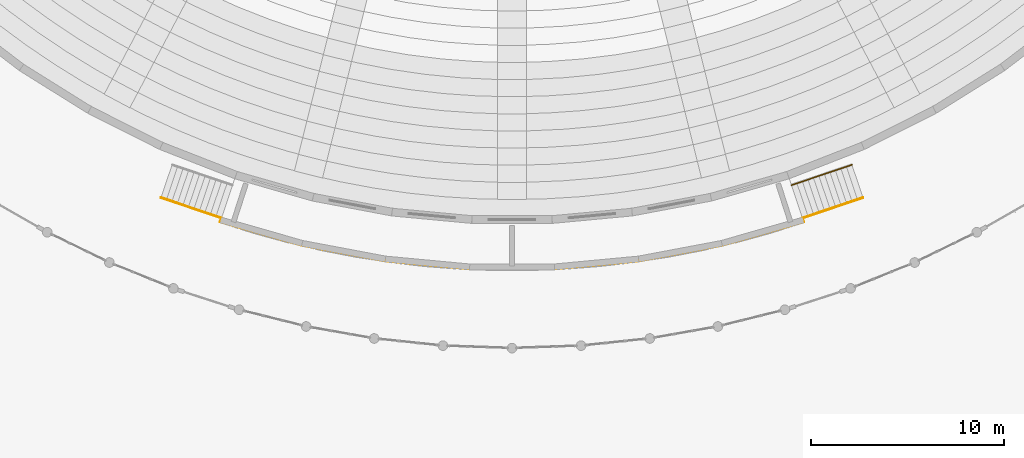
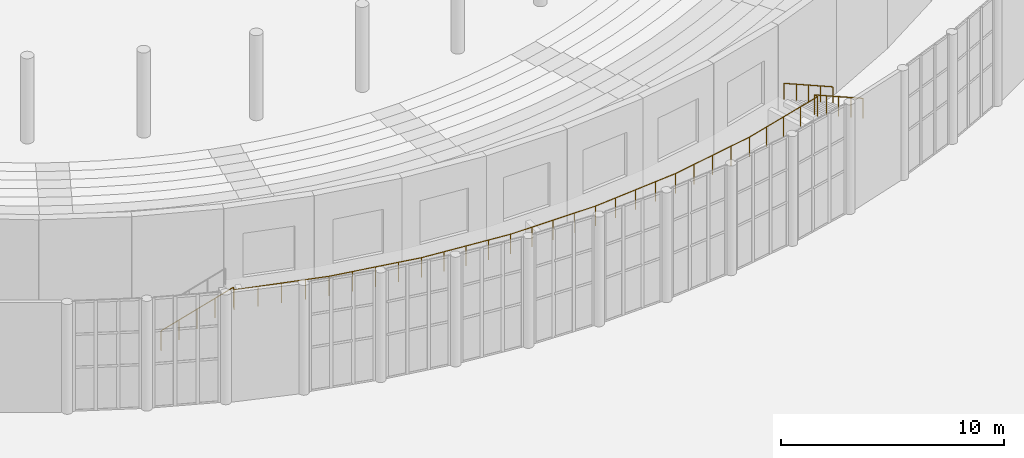
# One storey, part 182 of 210: 2 railings.
"""IFC4 building model written with IfcOpenShell, lengths in metres."""

from ifc_helpers import new_model, si_unit, direction, frame, origin, origin_2d, place, context, subcontext, project, spatial, circle, extrude, material, type_object, element, save


model = new_model("IFC4")

# Units and contexts
model_context = context("Model", 3, precision=1e-05, world=origin(), true_north=direction((0.0, 1.0)))
body_context = subcontext(model_context, "Body", "Model", "MODEL_VIEW")
ifc_project = project(units=[si_unit("LENGTHUNIT", "METRE"), si_unit("AREAUNIT", "SQUARE_METRE"), si_unit("VOLUMEUNIT", "CUBIC_METRE"), si_unit("PLANEANGLEUNIT", "RADIAN"), si_unit("MASSUNIT", "GRAM", prefix="KILO")], contexts=[model_context])

# Site, building, storey
site_placement = place(None, origin())
site = spatial("IfcSite", under=ifc_project, at=site_placement, CompositionType="ELEMENT")
building_placement = place(site_placement, origin())
building = spatial("IfcBuilding", under=site, at=building_placement, Name="Rain Tree Exposition and Congress Centre", CompositionType="ELEMENT")
storey_placement = place(building_placement, origin())
storey = spatial("IfcBuildingStorey", under=building, at=storey_placement, Name="L00", CompositionType="ELEMENT", Elevation=0.0)

# Railings
ifc_material_1 = material(Name="Steel S355J2H", Category="steel")
railing_type_1 = type_object("IfcRailingType", Name="Handrail 900 steel", PredefinedType="HANDRAIL", material=ifc_material_1)
railing_1_placement = place(storey_placement, frame((219.17724609375, 25.481201171875, 0.175048828125)))
element("IfcRailing", 1, at=railing_1_placement, inside=storey, type_object=railing_type_1, Name="Exit stair STX2 handrail", PredefinedType="HANDRAIL", context=body_context, shape_type="SweptSolid", body=[
    extrude(circle(Radius=0.02392578125, at=origin_2d()), frame((0.0, 0.0, 0.8759765625), z_axis=(-0.818343865073, -0.276445069522, 0.503876415438), x_axis=(0.320042635324, -0.947403140999, 0.0)), (0.0, 0.0, 1.0), 3.820556640625),
    extrude(circle(Radius=0.02099609375, at=origin_2d()), origin(), (0.0, 0.0, 1.0), 0.851806640625),
    extrude(circle(Radius=0.02099609375, at=origin_2d()), frame((-0.78173828125, -0.26416015625, 0.481201171875)), (0.0, 0.0, 1.0), 0.851806640625),
    extrude(circle(Radius=0.02099609375, at=origin_2d()), frame((-1.563232421875, -0.528076171875, 0.96240234375)), (0.0, 0.0, 1.0), 0.851806640625),
    extrude(circle(Radius=0.02099609375, at=origin_2d()), frame((-2.3447265625, -0.7919921875, 1.44384765625)), (0.0, 0.0, 1.0), 0.851806640625),
    extrude(circle(Radius=0.02099609375, at=origin_2d()), frame((-3.12646484375, -1.05615234375, 1.925048828125)), (0.0, 0.0, 1.0), 0.851806640625),
])
ifc_material_2 = material(Name="Steel S355J2H", Category="steel")
railing_type_2 = type_object("IfcRailingType", Name="Steel guard 1100", PredefinedType="GUARDRAIL", material=ifc_material_2)
railing_2_placement = place(storey_placement, frame((183.44677734375, 23.77587890625, 0.175048828125)))
element("IfcRailing", 2, at=railing_2_placement, inside=storey, type_object=railing_type_2, Name="Rear exit landing and stair guard", PredefinedType="GUARDRAIL", context=body_context, shape_type="SweptSolid", body=[
    extrude(circle(Radius=0.02392578125, at=origin_2d()), frame((0.0, 0.0, 1.076171875), z_axis=(0.818322755352, -0.27645952672, 0.503902766572), x_axis=(0.320065068599, 0.947395562509, 0.0)), (0.0, 0.0, 1.0), 3.8203125),
    extrude(circle(Radius=0.02392578125, at=origin_2d()), frame((3.126220703125, -1.05615234375, 3.0009765625), z_axis=(-0.319888251559, -0.947455279427, 0.0), x_axis=(0.947455279427, -0.319888251559, 0.0)), (0.0, 0.0, 1.0), 0.199951171875),
    extrude(circle(Radius=0.02392578125, at=origin_2d()), frame((3.062255859375, -1.24560546875, 3.0009765625), z_axis=(0.961250486453, -0.27567644494, 0.0), x_axis=(0.27567644494, 0.961250486453, 0.0)), (0.0, 0.0, 1.0), 4.38720703125),
    extrude(circle(Radius=0.02392578125, at=origin_2d()), frame((7.279541015625, -2.455078125, 3.0009765625), z_axis=(0.982725101574, -0.185071269341, 0.0), x_axis=(0.185071269341, 0.982725101574, 0.0)), (0.0, 0.0, 1.0), 4.387451171875),
    extrude(circle(Radius=0.02392578125, at=origin_2d()), frame((11.59130859375, -3.26708984375, 3.0009765625), z_axis=(0.995672283797, -0.092933865076, 0.0), x_axis=(0.092933865076, 0.995672283797, 0.0)), (0.0, 0.0, 1.0), 4.38720703125),
    extrude(circle(Radius=0.02392578125, at=origin_2d()), frame((15.95947265625, -3.6748046875, 3.0009765625), z_axis=(1.0, 0.0, 0.0), x_axis=(0.0, 1.0, 0.0)), (0.0, 0.0, 1.0), 4.387451171875),
    extrude(circle(Radius=0.02392578125, at=origin_2d()), frame((20.346923828125, -3.6748046875, 3.0009765625), z_axis=(0.995672764381, 0.092928716063, 0.0), x_axis=(-0.092928716063, 0.995672764381, 0.0)), (0.0, 0.0, 1.0), 4.387451171875),
    extrude(circle(Radius=0.02392578125, at=origin_2d()), frame((24.71533203125, -3.26708984375, 3.0009765625), z_axis=(0.982723195542, 0.185081390055, 0.0), x_axis=(-0.185081390055, 0.982723195542, 0.0)), (0.0, 0.0, 1.0), 4.38720703125),
    extrude(circle(Radius=0.02392578125, at=origin_2d()), frame((29.02685546875, -2.455078125, 3.0009765625), z_axis=(0.961250486453, 0.27567644494, 0.0), x_axis=(-0.27567644494, 0.961250486453, 0.0)), (0.0, 0.0, 1.0), 4.38720703125),
    extrude(circle(Radius=0.02392578125, at=origin_2d()), frame((33.244140625, -1.24560546875, 3.0009765625), z_axis=(-0.319888251559, 0.947455279427, 0.0), x_axis=(-0.947455279427, -0.319888251559, 0.0)), (0.0, 0.0, 1.0), 0.199951171875),
    extrude(circle(Radius=0.02392578125, at=origin_2d()), frame((33.18017578125, -1.05615234375, 3.0009765625), z_axis=(0.818343865073, 0.276445069522, -0.503876415438), x_axis=(-0.320042635324, 0.947403140999, 0.0)), (0.0, 0.0, 1.0), 3.820556640625),
    extrude(circle(Radius=0.02099609375, at=origin_2d()), origin(), (0.0, 0.0, 1.0), 1.052001953125),
    extrude(circle(Radius=0.02099609375, at=origin_2d()), frame((0.781494140625, -0.26416015625, 0.481201171875)), (0.0, 0.0, 1.0), 1.052001953125),
    extrude(circle(Radius=0.02099609375, at=origin_2d()), frame((1.56298828125, -0.528076171875, 0.96240234375)), (0.0, 0.0, 1.0), 1.052001953125),
    extrude(circle(Radius=0.02099609375, at=origin_2d()), frame((2.3447265625, -0.7919921875, 1.44384765625)), (0.0, 0.0, 1.0), 1.052001953125),
    extrude(circle(Radius=0.02099609375, at=origin_2d()), frame((3.126220703125, -1.05615234375, 1.925048828125)), (0.0, 0.0, 1.0), 1.052001953125),
    extrude(circle(Radius=0.02099609375, at=origin_2d()), frame((3.062255859375, -1.24560546875, 1.925048828125)), (0.0, 0.0, 1.0), 1.052001953125),
    extrude(circle(Radius=0.02099609375, at=origin_2d()), frame((4.11669921875, -1.5478515625, 1.925048828125)), (0.0, 0.0, 1.0), 1.052001953125),
    extrude(circle(Radius=0.02099609375, at=origin_2d()), frame((5.1708984375, -1.850341796875, 1.925048828125)), (0.0, 0.0, 1.0), 1.052001953125),
    extrude(circle(Radius=0.02099609375, at=origin_2d()), frame((6.22509765625, -2.15283203125, 1.925048828125)), (0.0, 0.0, 1.0), 1.052001953125),
    extrude(circle(Radius=0.02099609375, at=origin_2d()), frame((7.279541015625, -2.455078125, 1.925048828125)), (0.0, 0.0, 1.0), 1.052001953125),
    extrude(circle(Radius=0.02099609375, at=origin_2d()), frame((8.357421875, -2.658203125, 1.925048828125)), (0.0, 0.0, 1.0), 1.052001953125),
    extrude(circle(Radius=0.02099609375, at=origin_2d()), frame((9.435546875, -2.861083984375, 1.925048828125)), (0.0, 0.0, 1.0), 1.052001953125),
    extrude(circle(Radius=0.02099609375, at=origin_2d()), frame((10.513427734375, -3.06396484375, 1.925048828125)), (0.0, 0.0, 1.0), 1.052001953125),
    extrude(circle(Radius=0.02099609375, at=origin_2d()), frame((11.59130859375, -3.26708984375, 1.925048828125)), (0.0, 0.0, 1.0), 1.052001953125),
    extrude(circle(Radius=0.02099609375, at=origin_2d()), frame((12.683349609375, -3.369140625, 1.925048828125)), (0.0, 0.0, 1.0), 1.052001953125),
    extrude(circle(Radius=0.02099609375, at=origin_2d()), frame((13.775390625, -3.470947265625, 1.925048828125)), (0.0, 0.0, 1.0), 1.052001953125),
    extrude(circle(Radius=0.02099609375, at=origin_2d()), frame((14.867431640625, -3.57275390625, 1.925048828125)), (0.0, 0.0, 1.0), 1.052001953125),
    extrude(circle(Radius=0.02099609375, at=origin_2d()), frame((15.95947265625, -3.6748046875, 1.925048828125)), (0.0, 0.0, 1.0), 1.052001953125),
    extrude(circle(Radius=0.02099609375, at=origin_2d()), frame((17.056396484375, -3.6748046875, 1.925048828125)), (0.0, 0.0, 1.0), 1.052001953125),
    extrude(circle(Radius=0.02099609375, at=origin_2d()), frame((18.1533203125, -3.6748046875, 1.925048828125)), (0.0, 0.0, 1.0), 1.052001953125),
    extrude(circle(Radius=0.02099609375, at=origin_2d()), frame((19.25, -3.6748046875, 1.925048828125)), (0.0, 0.0, 1.0), 1.052001953125),
    extrude(circle(Radius=0.02099609375, at=origin_2d()), frame((20.346923828125, -3.6748046875, 1.925048828125)), (0.0, 0.0, 1.0), 1.052001953125),
    extrude(circle(Radius=0.02099609375, at=origin_2d()), frame((21.43896484375, -3.57275390625, 1.925048828125)), (0.0, 0.0, 1.0), 1.052001953125),
    extrude(circle(Radius=0.02099609375, at=origin_2d()), frame((22.53125, -3.470947265625, 1.925048828125)), (0.0, 0.0, 1.0), 1.052001953125),
    extrude(circle(Radius=0.02099609375, at=origin_2d()), frame((23.623291015625, -3.369140625, 1.925048828125)), (0.0, 0.0, 1.0), 1.052001953125),
    extrude(circle(Radius=0.02099609375, at=origin_2d()), frame((24.71533203125, -3.26708984375, 1.925048828125)), (0.0, 0.0, 1.0), 1.052001953125),
    extrude(circle(Radius=0.02099609375, at=origin_2d()), frame((25.793212890625, -3.06396484375, 1.925048828125)), (0.0, 0.0, 1.0), 1.052001953125),
    extrude(circle(Radius=0.02099609375, at=origin_2d()), frame((26.87109375, -2.861083984375, 1.925048828125)), (0.0, 0.0, 1.0), 1.052001953125),
    extrude(circle(Radius=0.02099609375, at=origin_2d()), frame((27.948974609375, -2.658203125, 1.925048828125)), (0.0, 0.0, 1.0), 1.052001953125),
    extrude(circle(Radius=0.02099609375, at=origin_2d()), frame((29.02685546875, -2.455078125, 1.925048828125)), (0.0, 0.0, 1.0), 1.052001953125),
    extrude(circle(Radius=0.02099609375, at=origin_2d()), frame((30.0810546875, -2.15283203125, 1.925048828125)), (0.0, 0.0, 1.0), 1.052001953125),
    extrude(circle(Radius=0.02099609375, at=origin_2d()), frame((31.135498046875, -1.850341796875, 1.925048828125)), (0.0, 0.0, 1.0), 1.052001953125),
    extrude(circle(Radius=0.02099609375, at=origin_2d()), frame((32.18994140625, -1.5478515625, 1.925048828125)), (0.0, 0.0, 1.0), 1.052001953125),
    extrude(circle(Radius=0.02099609375, at=origin_2d()), frame((33.244140625, -1.24560546875, 1.925048828125)), (0.0, 0.0, 1.0), 1.052001953125),
    extrude(circle(Radius=0.02099609375, at=origin_2d()), frame((33.18017578125, -1.05615234375, 1.925048828125)), (0.0, 0.0, 1.0), 1.052001953125),
    extrude(circle(Radius=0.02099609375, at=origin_2d()), frame((33.9619140625, -0.7919921875, 1.44384765625)), (0.0, 0.0, 1.0), 1.052001953125),
    extrude(circle(Radius=0.02099609375, at=origin_2d()), frame((34.743408203125, -0.528076171875, 0.96240234375)), (0.0, 0.0, 1.0), 1.052001953125),
    extrude(circle(Radius=0.02099609375, at=origin_2d()), frame((35.52490234375, -0.26416015625, 0.481201171875)), (0.0, 0.0, 1.0), 1.052001953125),
    extrude(circle(Radius=0.02099609375, at=origin_2d()), frame((36.306640625, 0.0, 0.0)), (0.0, 0.0, 1.0), 1.052001953125),
])

save(model, "model.ifc")
